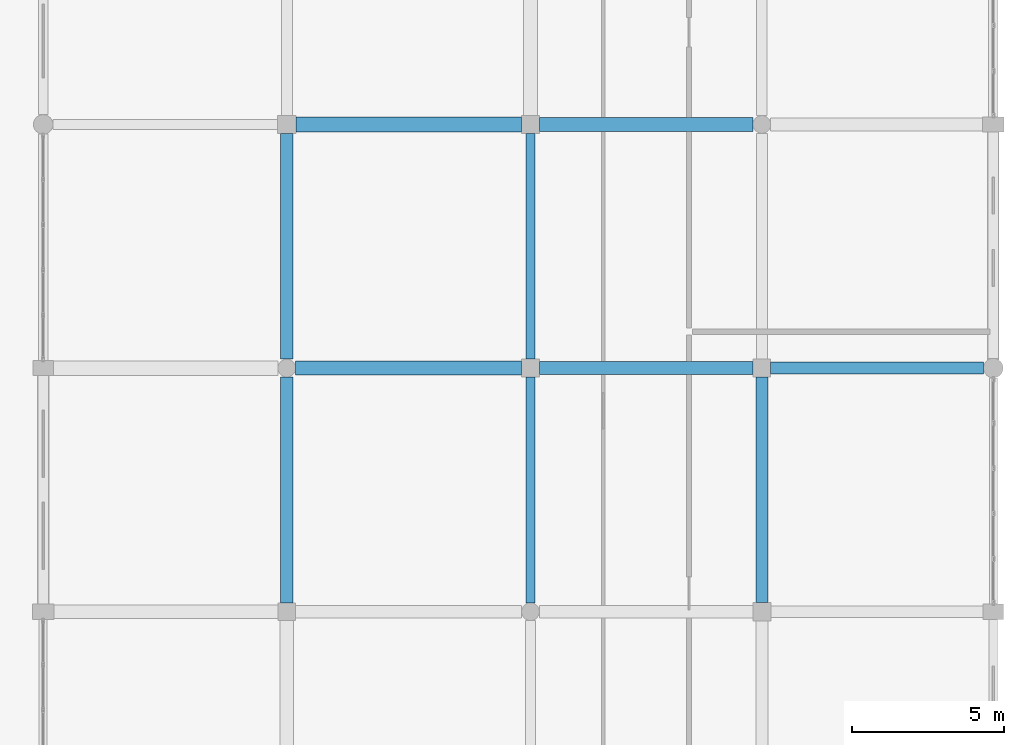
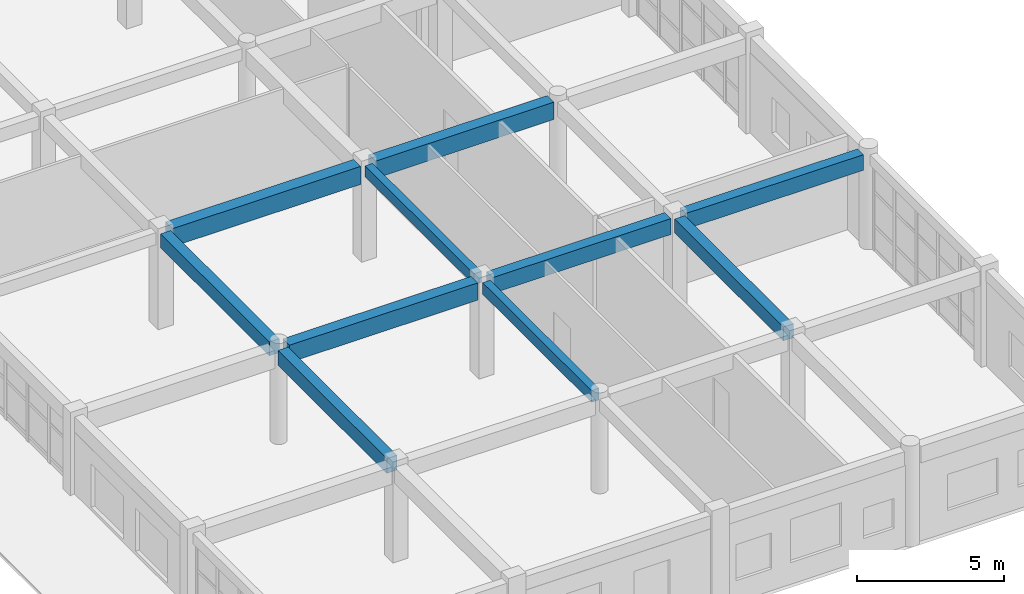
# One storey, part 73 of 121: 10 beams.
"""IFC4 building model written with IfcOpenShell, lengths in metres."""

import ifcopenshell
import ifcopenshell.guid

model = None  # the IFC model being written
_history = None  # IfcOwnerHistory: only IFC2X3 demands one
_inside = {}  # id of a spatial element -> (the spatial element, [elements in it])
_under = {}  # id of a project, library or spatial element -> (it, [spatial elements below it])
_declared = {}  # id of a project -> (the project, [libraries it declares])
_typed = {}  # id of a type object -> (the type object, [elements of that type])
_made_of = {}  # id of a material, layer set ... -> (it, [elements and type objects made of it])


def new_model(schema):
    """Start an empty IFC model of exactly this schema.

    Asked for "IFC4X3", IfcOpenShell would pick the latest addendum, in which some entities
    have other attributes; the version numbers below select the first issue.
    IFC2X3 requires an IfcOwnerHistory on every rooted entity: one is made here for all.
    """
    global model, _history
    if schema == "IFC4X3":
        model = ifcopenshell.file(schema_version=(4, 3, 0, 0))
    else:
        model = ifcopenshell.file(schema=schema)
    _inside.clear()
    _under.clear()
    _declared.clear()
    _typed.clear()
    _made_of.clear()
    _history = None
    if model.schema == "IFC2X3":
        org = make("IfcOrganization", Name="unknown")
        user = make(
            "IfcPersonAndOrganization",
            ThePerson=make("IfcPerson", FamilyName="unknown"),
            TheOrganization=org,
        )
        app = make(
            "IfcApplication",
            ApplicationDeveloper=org,
            Version="unknown",
            ApplicationFullName="unknown",
            ApplicationIdentifier="unknown",
        )
        _history = make(
            "IfcOwnerHistory",
            OwningUser=user,
            OwningApplication=app,
            ChangeAction="ADDED",
            CreationDate=0,
        )
    return model


def make(cls, **values):
    """One entity of the class cls with the attributes given. An attribute that is None is left unset."""
    return model.create_entity(
        cls, **{name: value for name, value in values.items() if value is not None}
    )


def rooted(cls, **values):
    """An entity with a GlobalId (a new one), such as an element, a storey or a relation."""
    return make(cls, GlobalId=ifcopenshell.guid.new(), OwnerHistory=_history, **values)


def si_unit(unit_type, name, prefix=None):
    """IfcSIUnit, for example si_unit("LENGTHUNIT", "METRE", prefix="MILLI")."""
    return make("IfcSIUnit", UnitType=unit_type, Prefix=prefix, Name=name)


def assignment(units):
    """IfcUnitAssignment: the units of a project."""
    return None if units is None else make("IfcUnitAssignment", Units=units)


def point(xyz):
    """IfcCartesianPoint."""
    return None if xyz is None else make("IfcCartesianPoint", Coordinates=xyz)


def direction(xyz):
    """IfcDirection."""
    return None if xyz is None else make("IfcDirection", DirectionRatios=xyz)


def frame(location, z_axis=None, x_axis=None):
    """IfcAxis2Placement3D, a coordinate frame: its origin and axes. An axis left out is left unset."""
    return make(
        "IfcAxis2Placement3D",
        Location=point(location),
        Axis=direction(z_axis),
        RefDirection=direction(x_axis),
    )


def frame_2d(location, x_axis=None):
    """IfcAxis2Placement2D, a coordinate frame in the plane: its origin and x axis."""
    return make(
        "IfcAxis2Placement2D", Location=point(location), RefDirection=direction(x_axis)
    )


def origin():
    """The frame at (0, 0, 0) with its axes left unset."""
    return frame((0.0, 0.0, 0.0))


def origin_2d():
    """The frame at (0, 0) in the plane with its x axis left unset."""
    return frame_2d((0.0, 0.0))


def place(relative_to, where):
    """IfcLocalPlacement: puts the frame where relative to a parent placement (None: the world)."""
    return make(
        "IfcLocalPlacement", PlacementRelTo=relative_to, RelativePlacement=where
    )


def context(
    kind, dimensions, precision=None, world=None, true_north=None, identifier=None
):
    """IfcGeometricRepresentationContext, for example the 3D "Model" context."""
    return make(
        "IfcGeometricRepresentationContext",
        ContextIdentifier=identifier,
        ContextType=kind,
        CoordinateSpaceDimension=dimensions,
        Precision=precision,
        WorldCoordinateSystem=world,
        TrueNorth=true_north,
    )


def subcontext(parent, identifier, kind, view, scale=None):
    """IfcGeometricRepresentationSubContext, for example "Body" below "Model"."""
    return make(
        "IfcGeometricRepresentationSubContext",
        ContextIdentifier=identifier,
        ContextType=kind,
        ParentContext=parent,
        TargetScale=scale,
        TargetView=view,
    )


def project(units=None, contexts=None):
    """IfcProject with its units and contexts."""
    return rooted(
        "IfcProject",
        Name="project",
        RepresentationContexts=contexts,
        UnitsInContext=assignment(units),
    )


def spatial(cls, under=None, at=None, **own):
    """A site, building, storey or space (cls), placed at a placement, below another one or the project."""
    s = rooted(cls, ObjectPlacement=at, **own)
    if under is not None:
        _under.setdefault(under.id(), (under, []))[1].append(s)
    return s


def profile(cls, at=None, kind="AREA", **sizes):
    """A parametric profile (cls). Its sizes go by their IFC names, for example OverallWidth=200.0."""
    return make(cls, ProfileType=kind, Position=at, **sizes)


def rectangle(**sizes):
    """IfcRectangleProfileDef."""
    return profile("IfcRectangleProfileDef", **sizes)


def extrude(swept, where, along, depth):
    """IfcExtrudedAreaSolid: the profile swept, set in the frame where, extruded along a direction by depth."""
    return make(
        "IfcExtrudedAreaSolid",
        SweptArea=swept,
        Position=where,
        ExtrudedDirection=direction(along),
        Depth=depth,
    )


def shape(context_of_items, identifier, shape_type, items):
    """IfcShapeRepresentation: the items that make up one representation, for example the "Body"."""
    return make(
        "IfcShapeRepresentation",
        ContextOfItems=context_of_items,
        RepresentationIdentifier=identifier,
        RepresentationType=shape_type,
        Items=items,
    )


def material(Name=None, Category=None):
    """IfcMaterial."""
    return make("IfcMaterial", Name=Name, Category=Category)


def material_profile(
    of_material, cross_section, Name=None, Category=None, Priority=None
):
    """IfcMaterialProfile: a cross section and its material."""
    return make(
        "IfcMaterialProfile",
        Name=Name,
        Material=of_material,
        Profile=cross_section,
        Priority=Priority,
        Category=Category,
    )


def profile_set(profiles, Name=None, composite=None):
    """IfcMaterialProfileSet."""
    return make(
        "IfcMaterialProfileSet",
        Name=Name,
        MaterialProfiles=profiles,
        CompositeProfile=composite,
    )


def made_of(thing, what):
    """Note that an element or type object is made of a material, layer set ...; save() writes the relation."""
    if what is not None:
        _made_of.setdefault(what.id(), (what, []))[1].append(thing)
    return thing


def type_object(cls, material=None, **own):
    """A type object (cls), such as IfcWallType, which elements share."""
    return made_of(rooted(cls, **own), material)


def element(
    cls,
    number,
    at=None,
    inside=None,
    cuts=None,
    type_object=None,
    material=None,
    context=None,
    identifier="Body",
    shape_type=None,
    held_by="IfcProductDefinitionShape",
    body=None,
    shapes=None,
    **own,
):
    """One element of the class cls, such as IfcWall. Its Tag is "e" and its number.

    at: its placement. inside: the storey or other place that contains it. cuts: it is an
    opening in that element (IfcRelVoidsElement). A single representation is given by context,
    identifier, shape_type and body (its items); several are given by shapes. held_by: the class
    of the entity that holds the representations. save() writes the other relations.
    """
    e = rooted(cls, Tag="e%d" % number, ObjectPlacement=at, **own)
    if body is not None:
        shapes = [shape(context, identifier, shape_type, body)]
    if shapes is not None:
        e.Representation = make(held_by, Representations=shapes)
    if inside is not None:
        _inside.setdefault(inside.id(), (inside, []))[1].append(e)
    if cuts is not None:
        rooted(
            "IfcRelVoidsElement", RelatingBuildingElement=cuts, RelatedOpeningElement=e
        )
    if type_object is not None:
        _typed.setdefault(type_object.id(), (type_object, []))[1].append(e)
    return made_of(e, material)


def aggregate(whole, parts):
    """IfcRelAggregates: a whole, such as a stair, and the parts it consists of."""
    return rooted("IfcRelAggregates", RelatingObject=whole, RelatedObjects=parts)


def save(model, path):
    """Write the relations noted so far, then the file.

    IfcRelAggregates (storeys below a building ...), IfcRelContainedInSpatialStructure (elements
    in a storey), IfcRelDefinesByType, IfcRelAssociatesMaterial and IfcRelDeclares: one each for
    every whole, place, type object, material and project.
    """
    for whole, parts in _under.values():
        aggregate(whole, parts)
    for where, things in _inside.values():
        rooted(
            "IfcRelContainedInSpatialStructure",
            RelatedElements=things,
            RelatingStructure=where,
        )
    for kind, things in _typed.values():
        rooted("IfcRelDefinesByType", RelatedObjects=things, RelatingType=kind)
    for what, things in _made_of.values():
        rooted("IfcRelAssociatesMaterial", RelatedObjects=things, RelatingMaterial=what)
    for by, libraries in _declared.values():
        rooted("IfcRelDeclares", RelatingContext=by, RelatedDefinitions=libraries)
    model.write(path)


model = new_model("IFC4")

# Units and contexts
model_context = context("Model", 3, precision=1e-05, world=origin(), true_north=direction((0.0, 1.0)))
body_context = subcontext(model_context, "Body", "Model", "MODEL_VIEW")
ifc_project = project(units=[si_unit("LENGTHUNIT", "METRE"), si_unit("AREAUNIT", "SQUARE_METRE"), si_unit("VOLUMEUNIT", "CUBIC_METRE"), si_unit("PLANEANGLEUNIT", "RADIAN"), si_unit("MASSUNIT", "GRAM", prefix="KILO")], contexts=[model_context])

# Site, building, storey
site_placement = place(None, origin())
site = spatial("IfcSite", under=ifc_project, at=site_placement, CompositionType="ELEMENT")
building_placement = place(site_placement, origin())
building = spatial("IfcBuilding", under=site, at=building_placement, Name="Kharva Crest Polytechnic", CompositionType="ELEMENT")
storey_placement = place(building_placement, frame((0.0, 0.0, 13.199951171875)))
storey = spatial("IfcBuildingStorey", under=building, at=storey_placement, Name="L03", CompositionType="ELEMENT", Elevation=13.199951171875)

# Beams
ifc_material = material(Name="Concrete C35/45", Category="concrete")
ifc_material_profile_1 = material_profile(ifc_material, rectangle(XDim=0.300048828125, YDim=0.449951171875, at=origin_2d()), Name="RECT 300 X 450")
ifc_profile_set_1 = profile_set([ifc_material_profile_1], Name="Concrete C35/45")
beam_type_1 = type_object("IfcBeamType", Name="BM-RC-300X450", PredefinedType="BEAM", material=ifc_profile_set_1)
beam_1_placement = place(storey_placement, frame((168.800048828125, 55.10009765625, 3.735107421875), z_axis=(0.0, 1.0, 0.0), x_axis=(-1.0, 0.0, 0.0)))
element("IfcBeam", 1, at=beam_1_placement, inside=storey, type_object=beam_type_1, Name="L03 Girder 22/H-J", PredefinedType="BEAM", context=body_context, shape_type="SweptSolid", body=[
    extrude(rectangle(XDim=0.300048828125, YDim=0.449951171875, at=origin_2d()), origin(), (0.0, 0.0, 1.0), 7.409912109375),
])
ifc_material_profile_2 = material_profile(ifc_material, rectangle(XDim=0.300048828125, YDim=0.47998046875, at=origin_2d()), Name="RECT 300 X 480")
ifc_profile_set_2 = profile_set([ifc_material_profile_2], Name="Concrete C35/45")
beam_type_2 = type_object("IfcBeamType", Name="BM-RC-300X480", PredefinedType="BEAM", material=ifc_profile_set_2)
beam_2_placement = place(storey_placement, frame((168.800048828125, 47.090087890625, 3.719970703125), z_axis=(0.0, 1.0, 0.0), x_axis=(-1.0, 0.0, 0.0)))
element("IfcBeam", 2, at=beam_2_placement, inside=storey, type_object=beam_type_2, Name="L03 Girder 22/G-H", PredefinedType="BEAM", context=body_context, shape_type="SweptSolid", body=[
    extrude(rectangle(XDim=0.300048828125, YDim=0.47998046875, at=origin_2d()), origin(), (0.0, 0.0, 1.0), 7.409912109375),
])
ifc_material_profile_3 = material_profile(ifc_material, rectangle(XDim=0.39990234375, YDim=0.580078125, at=origin_2d()), Name="RECT 400 X 580")
ifc_profile_set_3 = profile_set([ifc_material_profile_3], Name="Concrete C35/45")
beam_type_3 = type_object("IfcBeamType", Name="BM-RC-400X580", PredefinedType="BEAM", material=ifc_profile_set_3)
for number, where, z_axis, x_axis, name in (
    (3, (160.800048828125, 55.090087890625, 3.670166015625), (0.0, 1.0, 0.0), (-1.0, 0.0, 0.0), "L03 Girder 21/H-J"),
    (4, (176.39990234375, 47.10009765625, 3.670166015625), (0.0, 1.0, 0.0), (-1.0, 0.0, 0.0), "L03 Girder 23/G-H"),
):
    element("IfcBeam", number, at=place(storey_placement, frame(where, z_axis=z_axis, x_axis=x_axis)), inside=storey, type_object=beam_type_3, Name=name, PredefinedType="BEAM", context=body_context, shape_type="SweptSolid", body=[
        extrude(rectangle(XDim=0.39990234375, YDim=0.580078125, at=origin_2d()), origin(), (0.0, 0.0, 1.0), 7.409912109375),
    ])
ifc_material_profile_4 = material_profile(ifc_material, rectangle(XDim=0.39990234375, YDim=0.6201171875, at=origin_2d()), Name="RECT 400 X 620")
ifc_profile_set_4 = profile_set([ifc_material_profile_4], Name="Concrete C35/45")
beam_type_4 = type_object("IfcBeamType", Name="BM-RC-400X620", PredefinedType="BEAM", material=ifc_profile_set_4)
beam_3_placement = place(storey_placement, frame((160.800048828125, 47.090087890625, 3.650146484375), z_axis=(0.0, 1.0, 0.0), x_axis=(-1.0, 0.0, 0.0)))
element("IfcBeam", 5, at=beam_3_placement, inside=storey, type_object=beam_type_4, Name="L03 Girder 21/G-H", PredefinedType="BEAM", context=body_context, shape_type="SweptSolid", body=[
    extrude(rectangle(XDim=0.39990234375, YDim=0.6201171875, at=origin_2d()), origin(), (0.0, 0.0, 1.0), 7.419921875),
])
ifc_material_profile_5 = material_profile(ifc_material, rectangle(XDim=0.39990234375, YDim=0.64990234375, at=origin_2d()), Name="RECT 400 X 650")
ifc_profile_set_5 = profile_set([ifc_material_profile_5], Name="Concrete C35/45")
beam_type_5 = type_object("IfcBeamType", Name="BM-RC-400X650", PredefinedType="BEAM", material=ifc_profile_set_5)
beam_4_placement = place(storey_placement, frame((176.68994140625, 54.800048828125, 3.635009765625), z_axis=(1.0, 0.0, 0.0), x_axis=(0.0, 1.0, 0.0)))
element("IfcBeam", 6, at=beam_4_placement, inside=storey, type_object=beam_type_5, Name="L03 Beam H/23-24", PredefinedType="BEAM", context=body_context, shape_type="SweptSolid", body=[
    extrude(rectangle(XDim=0.39990234375, YDim=0.64990234375, at=origin_2d()), origin(), (0.0, 0.0, 1.0), 6.989990234375),
])
ifc_material_profile_6 = material_profile(ifc_material, rectangle(XDim=0.419921875, YDim=0.659912109375, at=origin_2d()), Name="RECT 420 X 660")
ifc_profile_set_6 = profile_set([ifc_material_profile_6], Name="Concrete C35/45")
beam_type_6 = type_object("IfcBeamType", Name="BM-RC-420X660", PredefinedType="BEAM", material=ifc_profile_set_6)
beam_5_placement = place(storey_placement, frame((169.10009765625, 54.800048828125, 3.630126953125), z_axis=(1.0, 0.0, 0.0), x_axis=(0.0, 1.0, 0.0)))
element("IfcBeam", 7, at=beam_5_placement, inside=storey, type_object=beam_type_6, Name="L03 Beam H/22-23", PredefinedType="BEAM", context=body_context, shape_type="SweptSolid", body=[
    extrude(rectangle(XDim=0.419921875, YDim=0.659912109375, at=origin_2d()), origin(), (0.0, 0.0, 1.0), 7.010009765625),
])
ifc_material_profile_7 = material_profile(ifc_material, rectangle(XDim=0.449951171875, YDim=0.719970703125, at=origin_2d()), Name="RECT 450 X 720")
ifc_profile_set_7 = profile_set([ifc_material_profile_7], Name="Concrete C35/45")
beam_type_7 = type_object("IfcBeamType", Name="BM-RC-450X720", PredefinedType="BEAM", material=ifc_profile_set_7)
beam_6_placement = place(storey_placement, frame((161.090087890625, 54.800048828125, 3.60009765625), z_axis=(1.0, 0.0, 0.0), x_axis=(0.0, 1.0, 0.0)))
element("IfcBeam", 8, at=beam_6_placement, inside=storey, type_object=beam_type_7, Name="L03 Beam H/21-22", PredefinedType="BEAM", context=body_context, shape_type="SweptSolid", body=[
    extrude(rectangle(XDim=0.449951171875, YDim=0.719970703125, at=origin_2d()), origin(), (0.0, 0.0, 1.0), 7.409912109375),
])
beam_7_placement = place(storey_placement, frame((169.090087890625, 62.800048828125, 3.60009765625), z_axis=(1.0, 0.0, 0.0), x_axis=(0.0, 1.0, 0.0)))
element("IfcBeam", 9, at=beam_7_placement, inside=storey, type_object=beam_type_7, Name="L03 Beam J/22-23", PredefinedType="BEAM", context=body_context, shape_type="SweptSolid", body=[
    extrude(rectangle(XDim=0.449951171875, YDim=0.719970703125, at=origin_2d()), origin(), (0.0, 0.0, 1.0), 7.02001953125),
])
ifc_material_profile_8 = material_profile(ifc_material, rectangle(XDim=0.47998046875, YDim=0.75, at=origin_2d()), Name="RECT 480 X 750")
ifc_profile_set_8 = profile_set([ifc_material_profile_8], Name="Concrete C35/45")
beam_type_8 = type_object("IfcBeamType", Name="BM-RC-480X750", PredefinedType="BEAM", material=ifc_profile_set_8)
beam_8_placement = place(storey_placement, frame((161.10009765625, 62.800048828125, 3.5849609375), z_axis=(1.0, 0.0, 0.0), x_axis=(0.0, 1.0, 0.0)))
element("IfcBeam", 10, at=beam_8_placement, inside=storey, type_object=beam_type_8, Name="L03 Beam J/21-22", PredefinedType="BEAM", context=body_context, shape_type="SweptSolid", body=[
    extrude(rectangle(XDim=0.47998046875, YDim=0.75, at=origin_2d()), origin(), (0.0, 0.0, 1.0), 7.409912109375),
])

save(model, "model.ifc")
